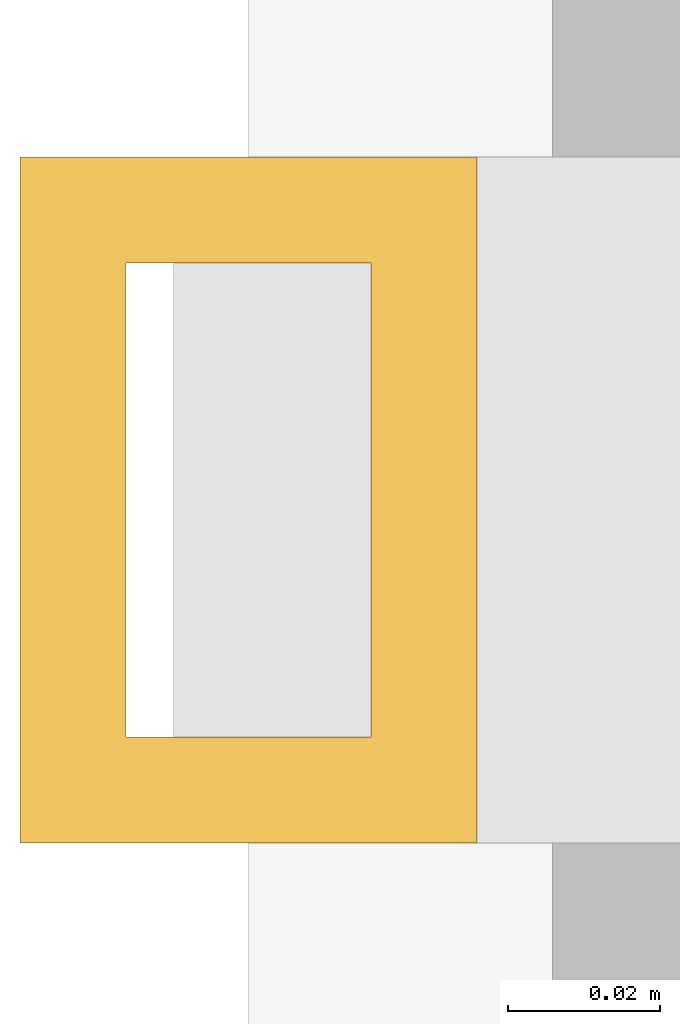
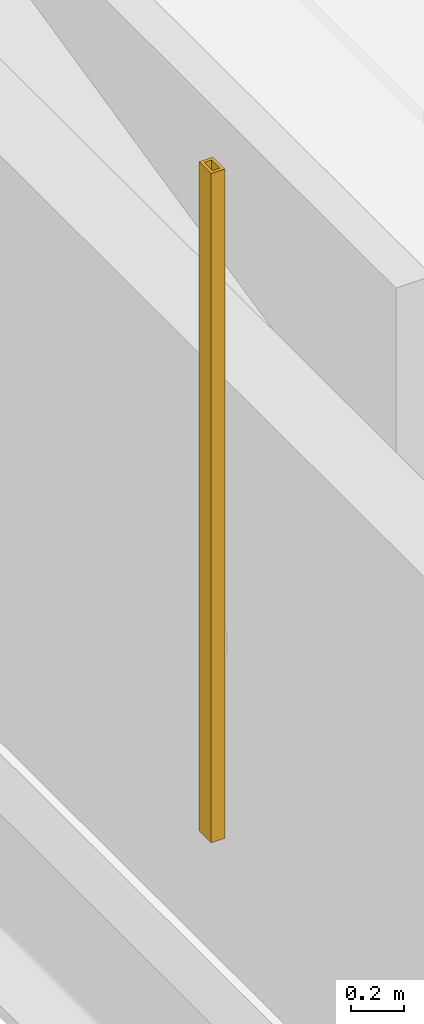
# One storey, part 23 of 31: 1 shading device.
"""IFC4 building model written with IfcOpenShell, lengths in metres."""

from ifc_helpers import new_model, si_unit, direction, frame, origin, origin_2d, place, context, subcontext, project, spatial, hollow_rectangle, extrude, material, material_profile, profile_set, type_object, element, save


model = new_model("IFC4")

# Units and contexts
model_context = context("Model", 3, precision=1e-05, world=origin(), true_north=direction((0.0, 1.0)))
body_context = subcontext(model_context, "Body", "Model", "MODEL_VIEW")
ifc_project = project(units=[si_unit("LENGTHUNIT", "METRE"), si_unit("AREAUNIT", "SQUARE_METRE"), si_unit("VOLUMEUNIT", "CUBIC_METRE"), si_unit("PLANEANGLEUNIT", "RADIAN"), si_unit("MASSUNIT", "GRAM", prefix="KILO")], contexts=[model_context])

# Site, building, storey
site_placement = place(None, origin())
site = spatial("IfcSite", under=ifc_project, at=site_placement, CompositionType="ELEMENT")
building_placement = place(site_placement, origin())
building = spatial("IfcBuilding", under=site, at=building_placement, Name="Punatoya Terracotta Tower", CompositionType="ELEMENT")
storey_placement = place(building_placement, frame((0.0, 0.0, 283.800048828125)))
storey = spatial("IfcBuildingStorey", under=building, at=storey_placement, Name="L67", CompositionType="ELEMENT", Elevation=283.800048828125)

# Shading device
ifc_material = material(Name="Architectural Fired Terracotta", Category="masonry")
ifc_material_profile = material_profile(ifc_material, hollow_rectangle(XDim=0.06005859375, YDim=0.090087890625, WallThickness=0.013916015625, at=origin_2d()))
ifc_profile_set = profile_set([ifc_material_profile], Name="Architectural Fired Terracotta")
shading_device_type = type_object("IfcShadingDeviceType", Name="SHD-JALI-90", PredefinedType="JALOUSIE", material=ifc_profile_set)
shading_device_placement = place(storey_placement, frame((-25.050048828125, 11.493408203125, 0.599853515625), z_axis=(0.0, 0.0, 1.0), x_axis=(1.0, 0.0, 0.0)))
element("IfcShadingDevice", 1, at=shading_device_placement, inside=storey, type_object=shading_device_type, Name="L67 Braced Bay Terracotta Jali Fin W1", PredefinedType="JALOUSIE", context=body_context, shape_type="SweptSolid", body=[
    extrude(hollow_rectangle(XDim=0.06005859375, YDim=0.090087890625, WallThickness=0.013916015625, at=origin_2d()), origin(), (0.0, 0.0, 1.0), 3.10009765625),
])

save(model, "model.ifc")
